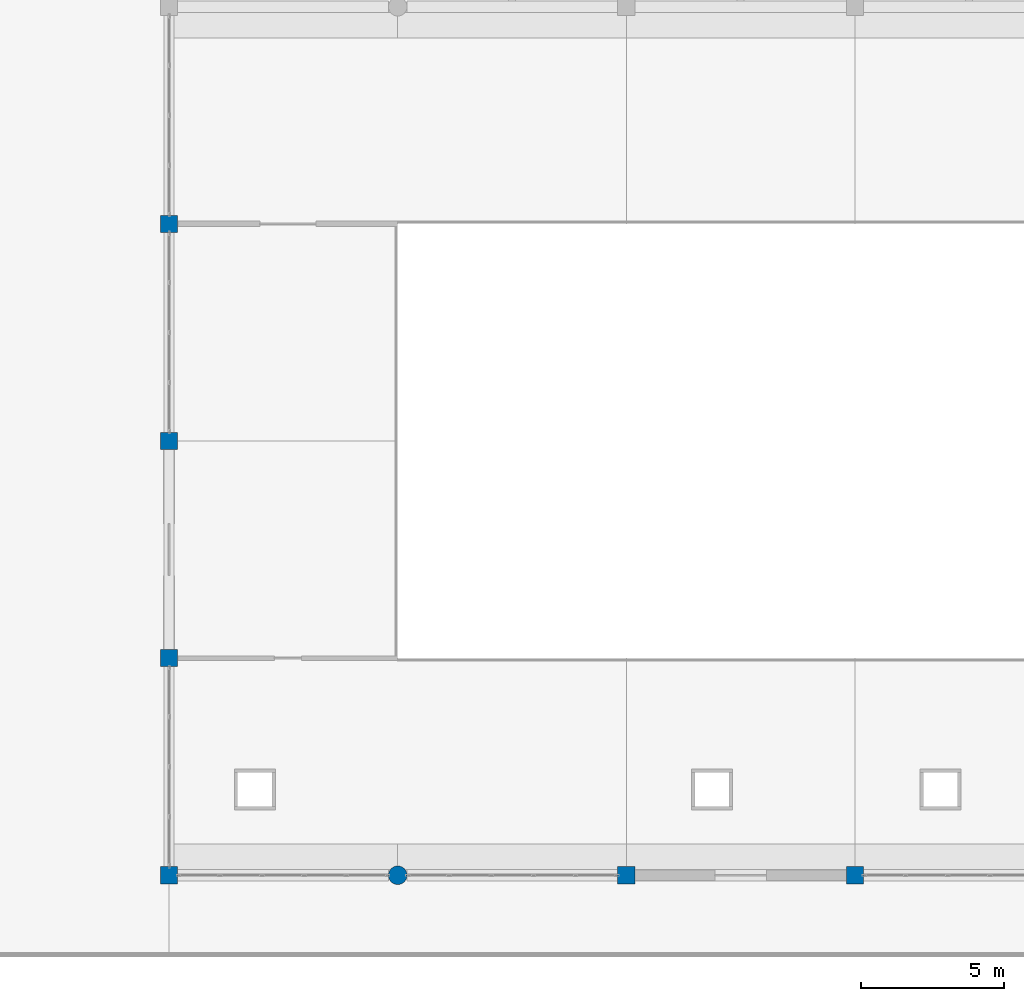
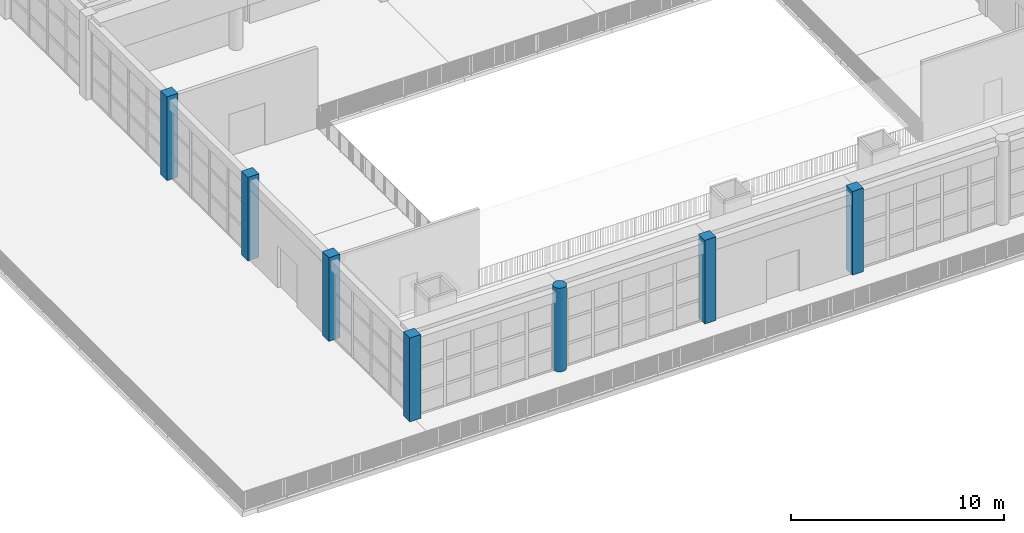
# One storey, part 1 of 32: 7 columns.
"""IFC4 building model written with IfcOpenShell, lengths in metres."""

from ifc_helpers import new_model, si_unit, direction, frame, origin, origin_2d, place, context, subcontext, project, spatial, rectangle, circle, extrude, material, material_profile, profile_set, type_object, element, save


model = new_model("IFC4")

# Units and contexts
model_context = context("Model", 3, precision=1e-05, world=origin(), true_north=direction((0.0, 1.0)))
body_context = subcontext(model_context, "Body", "Model", "MODEL_VIEW")
ifc_project = project(units=[si_unit("LENGTHUNIT", "METRE"), si_unit("AREAUNIT", "SQUARE_METRE"), si_unit("VOLUMEUNIT", "CUBIC_METRE"), si_unit("PLANEANGLEUNIT", "RADIAN"), si_unit("MASSUNIT", "GRAM", prefix="KILO")], contexts=[model_context])

# Site, building, storey
site_placement = place(None, origin())
site = spatial("IfcSite", under=ifc_project, at=site_placement, CompositionType="ELEMENT")
building_placement = place(site_placement, origin())
building = spatial("IfcBuilding", under=site, at=building_placement, Name="Zantavel Square City Hall", CompositionType="ELEMENT")
storey_placement = place(building_placement, frame((0.0, 0.0, 23.699951171875)))
storey = spatial("IfcBuildingStorey", under=building, at=storey_placement, Name="L06", CompositionType="ELEMENT", Elevation=23.699951171875)

# Columns
ifc_material = material(Name="Concrete C40/50", Category="concrete")
ifc_material_profile_1 = material_profile(ifc_material, rectangle(XDim=0.60009765625, YDim=0.60009765625, at=origin_2d()), Name="RC 600x600")
ifc_profile_set_1 = profile_set([ifc_material_profile_1], Name="Concrete C40/50")
column_type_1 = type_object("IfcColumnType", Name="Column RC 600x600 C40/50", PredefinedType="COLUMN", material=ifc_profile_set_1)
for number, where, z_axis, x_axis, name in (
    (1, (64.0, 30.39990234375, 0.0), (0.0, 0.0, 1.0), (1.0, 0.0, 0.0), "L06 Column COL-L06-0640-0304"),
    (2, (64.0, 38.0, 0.0), (0.0, 0.0, 1.0), (1.0, 0.0, 0.0), "L06 Column COL-L06-0640-0380"),
    (3, (64.0, 45.60009765625, 0.0), (0.0, 0.0, 1.0), (1.0, 0.0, 0.0), "L06 Column COL-L06-0640-0456"),
    (4, (64.0, 53.199951171875, 0.0), (0.0, 0.0, 1.0), (1.0, 0.0, 0.0), "L06 Column COL-L06-0640-0532"),
    (5, (80.0, 30.39990234375, 0.0), (0.0, 0.0, 1.0), (1.0, 0.0, 0.0), "L06 Column COL-L06-0800-0304"),
    (6, (88.0, 30.39990234375, 0.0), (0.0, 0.0, 1.0), (1.0, 0.0, 0.0), "L06 Column COL-L06-0880-0304"),
):
    element("IfcColumn", number, at=place(storey_placement, frame(where, z_axis=z_axis, x_axis=x_axis)), inside=storey, type_object=column_type_1, Name=name, PredefinedType="COLUMN", context=body_context, shape_type="SweptSolid", body=[
        extrude(rectangle(XDim=0.60009765625, YDim=0.60009765625, at=origin_2d()), origin(), (0.0, 0.0, 1.0), 4.800048828125),
    ])
ifc_material_profile_2 = material_profile(ifc_material, circle(Radius=0.324951171875, at=origin_2d()), Name="ROUND D650")
ifc_profile_set_2 = profile_set([ifc_material_profile_2], Name="Concrete C40/50")
column_type_2 = type_object("IfcColumnType", Name="Gallery Classical Column D650 C40/50", PredefinedType="COLUMN", material=ifc_profile_set_2)
column_placement = place(storey_placement, frame((72.0, 30.39990234375, 0.0), z_axis=(0.0, 0.0, 1.0), x_axis=(1.0, 0.0, 0.0)))
element("IfcColumn", 7, at=column_placement, inside=storey, type_object=column_type_2, Name="L06 Column COL-L06-0720-0304", PredefinedType="COLUMN", context=body_context, shape_type="SweptSolid", body=[
    extrude(circle(Radius=0.324951171875, at=origin_2d()), origin(), (0.0, 0.0, 1.0), 4.800048828125),
])

save(model, "model.ifc")
